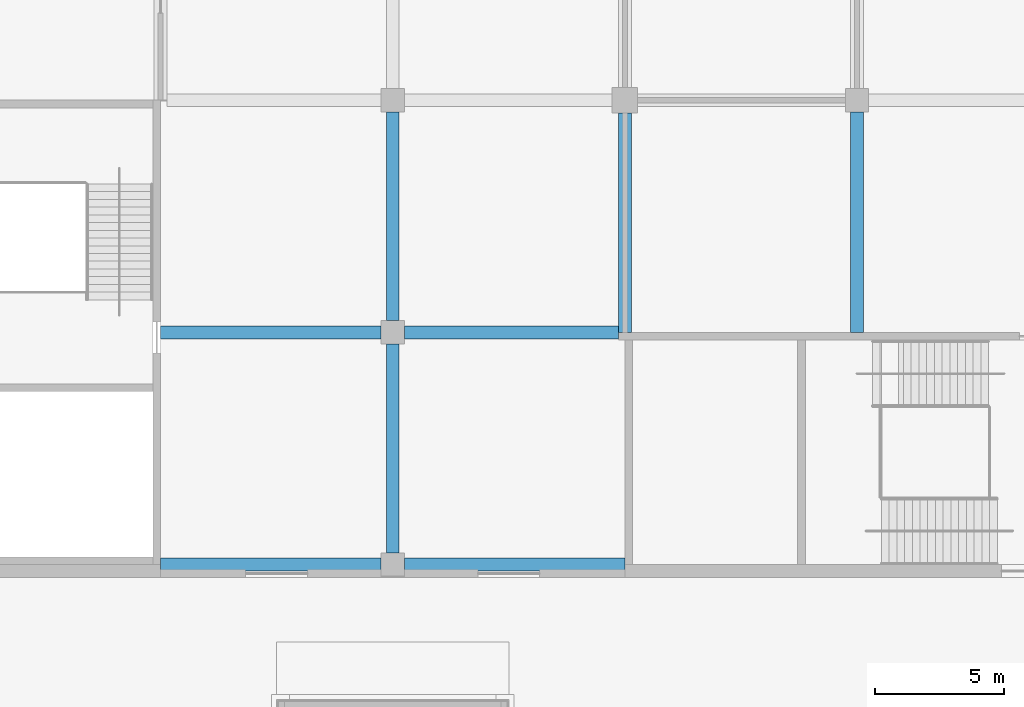
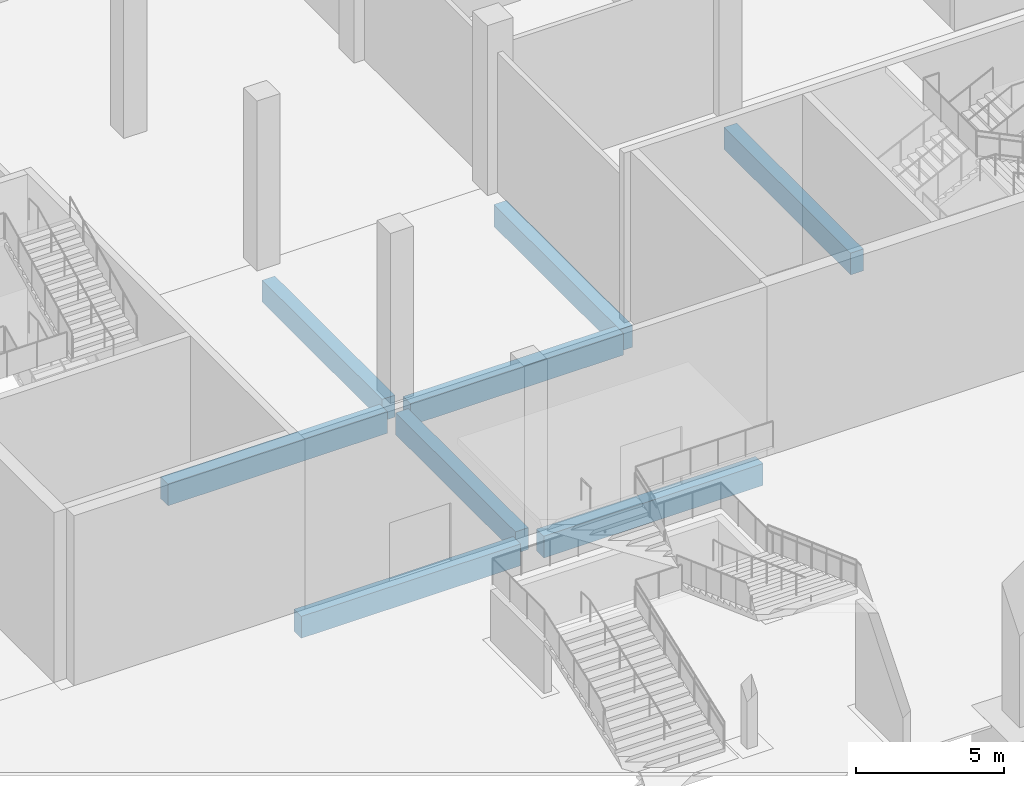
# One storey, part 9 of 92: 8 beams.
"""IFC4 building model written with IfcOpenShell, lengths in metres."""

import ifcopenshell
import ifcopenshell.guid

model = None  # the IFC model being written
_history = None  # IfcOwnerHistory: only IFC2X3 demands one
_inside = {}  # id of a spatial element -> (the spatial element, [elements in it])
_under = {}  # id of a project, library or spatial element -> (it, [spatial elements below it])
_declared = {}  # id of a project -> (the project, [libraries it declares])
_typed = {}  # id of a type object -> (the type object, [elements of that type])
_made_of = {}  # id of a material, layer set ... -> (it, [elements and type objects made of it])


def new_model(schema):
    """Start an empty IFC model of exactly this schema.

    Asked for "IFC4X3", IfcOpenShell would pick the latest addendum, in which some entities
    have other attributes; the version numbers below select the first issue.
    IFC2X3 requires an IfcOwnerHistory on every rooted entity: one is made here for all.
    """
    global model, _history
    if schema == "IFC4X3":
        model = ifcopenshell.file(schema_version=(4, 3, 0, 0))
    else:
        model = ifcopenshell.file(schema=schema)
    _inside.clear()
    _under.clear()
    _declared.clear()
    _typed.clear()
    _made_of.clear()
    _history = None
    if model.schema == "IFC2X3":
        org = make("IfcOrganization", Name="unknown")
        user = make(
            "IfcPersonAndOrganization",
            ThePerson=make("IfcPerson", FamilyName="unknown"),
            TheOrganization=org,
        )
        app = make(
            "IfcApplication",
            ApplicationDeveloper=org,
            Version="unknown",
            ApplicationFullName="unknown",
            ApplicationIdentifier="unknown",
        )
        _history = make(
            "IfcOwnerHistory",
            OwningUser=user,
            OwningApplication=app,
            ChangeAction="ADDED",
            CreationDate=0,
        )
    return model


def make(cls, **values):
    """One entity of the class cls with the attributes given. An attribute that is None is left unset."""
    return model.create_entity(
        cls, **{name: value for name, value in values.items() if value is not None}
    )


def rooted(cls, **values):
    """An entity with a GlobalId (a new one), such as an element, a storey or a relation."""
    return make(cls, GlobalId=ifcopenshell.guid.new(), OwnerHistory=_history, **values)


def si_unit(unit_type, name, prefix=None):
    """IfcSIUnit, for example si_unit("LENGTHUNIT", "METRE", prefix="MILLI")."""
    return make("IfcSIUnit", UnitType=unit_type, Prefix=prefix, Name=name)


def assignment(units):
    """IfcUnitAssignment: the units of a project."""
    return None if units is None else make("IfcUnitAssignment", Units=units)


def point(xyz):
    """IfcCartesianPoint."""
    return None if xyz is None else make("IfcCartesianPoint", Coordinates=xyz)


def direction(xyz):
    """IfcDirection."""
    return None if xyz is None else make("IfcDirection", DirectionRatios=xyz)


def frame(location, z_axis=None, x_axis=None):
    """IfcAxis2Placement3D, a coordinate frame: its origin and axes. An axis left out is left unset."""
    return make(
        "IfcAxis2Placement3D",
        Location=point(location),
        Axis=direction(z_axis),
        RefDirection=direction(x_axis),
    )


def frame_2d(location, x_axis=None):
    """IfcAxis2Placement2D, a coordinate frame in the plane: its origin and x axis."""
    return make(
        "IfcAxis2Placement2D", Location=point(location), RefDirection=direction(x_axis)
    )


def origin():
    """The frame at (0, 0, 0) with its axes left unset."""
    return frame((0.0, 0.0, 0.0))


def origin_2d():
    """The frame at (0, 0) in the plane with its x axis left unset."""
    return frame_2d((0.0, 0.0))


def place(relative_to, where):
    """IfcLocalPlacement: puts the frame where relative to a parent placement (None: the world)."""
    return make(
        "IfcLocalPlacement", PlacementRelTo=relative_to, RelativePlacement=where
    )


def context(
    kind, dimensions, precision=None, world=None, true_north=None, identifier=None
):
    """IfcGeometricRepresentationContext, for example the 3D "Model" context."""
    return make(
        "IfcGeometricRepresentationContext",
        ContextIdentifier=identifier,
        ContextType=kind,
        CoordinateSpaceDimension=dimensions,
        Precision=precision,
        WorldCoordinateSystem=world,
        TrueNorth=true_north,
    )


def subcontext(parent, identifier, kind, view, scale=None):
    """IfcGeometricRepresentationSubContext, for example "Body" below "Model"."""
    return make(
        "IfcGeometricRepresentationSubContext",
        ContextIdentifier=identifier,
        ContextType=kind,
        ParentContext=parent,
        TargetScale=scale,
        TargetView=view,
    )


def project(units=None, contexts=None):
    """IfcProject with its units and contexts."""
    return rooted(
        "IfcProject",
        Name="project",
        RepresentationContexts=contexts,
        UnitsInContext=assignment(units),
    )


def spatial(cls, under=None, at=None, **own):
    """A site, building, storey or space (cls), placed at a placement, below another one or the project."""
    s = rooted(cls, ObjectPlacement=at, **own)
    if under is not None:
        _under.setdefault(under.id(), (under, []))[1].append(s)
    return s


def profile(cls, at=None, kind="AREA", **sizes):
    """A parametric profile (cls). Its sizes go by their IFC names, for example OverallWidth=200.0."""
    return make(cls, ProfileType=kind, Position=at, **sizes)


def rectangle(**sizes):
    """IfcRectangleProfileDef."""
    return profile("IfcRectangleProfileDef", **sizes)


def extrude(swept, where, along, depth):
    """IfcExtrudedAreaSolid: the profile swept, set in the frame where, extruded along a direction by depth."""
    return make(
        "IfcExtrudedAreaSolid",
        SweptArea=swept,
        Position=where,
        ExtrudedDirection=direction(along),
        Depth=depth,
    )


def shape(context_of_items, identifier, shape_type, items):
    """IfcShapeRepresentation: the items that make up one representation, for example the "Body"."""
    return make(
        "IfcShapeRepresentation",
        ContextOfItems=context_of_items,
        RepresentationIdentifier=identifier,
        RepresentationType=shape_type,
        Items=items,
    )


def material(Name=None, Category=None):
    """IfcMaterial."""
    return make("IfcMaterial", Name=Name, Category=Category)


def material_profile(
    of_material, cross_section, Name=None, Category=None, Priority=None
):
    """IfcMaterialProfile: a cross section and its material."""
    return make(
        "IfcMaterialProfile",
        Name=Name,
        Material=of_material,
        Profile=cross_section,
        Priority=Priority,
        Category=Category,
    )


def profile_set(profiles, Name=None, composite=None):
    """IfcMaterialProfileSet."""
    return make(
        "IfcMaterialProfileSet",
        Name=Name,
        MaterialProfiles=profiles,
        CompositeProfile=composite,
    )


def made_of(thing, what):
    """Note that an element or type object is made of a material, layer set ...; save() writes the relation."""
    if what is not None:
        _made_of.setdefault(what.id(), (what, []))[1].append(thing)
    return thing


def type_object(cls, material=None, **own):
    """A type object (cls), such as IfcWallType, which elements share."""
    return made_of(rooted(cls, **own), material)


def element(
    cls,
    number,
    at=None,
    inside=None,
    cuts=None,
    type_object=None,
    material=None,
    context=None,
    identifier="Body",
    shape_type=None,
    held_by="IfcProductDefinitionShape",
    body=None,
    shapes=None,
    **own,
):
    """One element of the class cls, such as IfcWall. Its Tag is "e" and its number.

    at: its placement. inside: the storey or other place that contains it. cuts: it is an
    opening in that element (IfcRelVoidsElement). A single representation is given by context,
    identifier, shape_type and body (its items); several are given by shapes. held_by: the class
    of the entity that holds the representations. save() writes the other relations.
    """
    e = rooted(cls, Tag="e%d" % number, ObjectPlacement=at, **own)
    if body is not None:
        shapes = [shape(context, identifier, shape_type, body)]
    if shapes is not None:
        e.Representation = make(held_by, Representations=shapes)
    if inside is not None:
        _inside.setdefault(inside.id(), (inside, []))[1].append(e)
    if cuts is not None:
        rooted(
            "IfcRelVoidsElement", RelatingBuildingElement=cuts, RelatedOpeningElement=e
        )
    if type_object is not None:
        _typed.setdefault(type_object.id(), (type_object, []))[1].append(e)
    return made_of(e, material)


def aggregate(whole, parts):
    """IfcRelAggregates: a whole, such as a stair, and the parts it consists of."""
    return rooted("IfcRelAggregates", RelatingObject=whole, RelatedObjects=parts)


def save(model, path):
    """Write the relations noted so far, then the file.

    IfcRelAggregates (storeys below a building ...), IfcRelContainedInSpatialStructure (elements
    in a storey), IfcRelDefinesByType, IfcRelAssociatesMaterial and IfcRelDeclares: one each for
    every whole, place, type object, material and project.
    """
    for whole, parts in _under.values():
        aggregate(whole, parts)
    for where, things in _inside.values():
        rooted(
            "IfcRelContainedInSpatialStructure",
            RelatedElements=things,
            RelatingStructure=where,
        )
    for kind, things in _typed.values():
        rooted("IfcRelDefinesByType", RelatedObjects=things, RelatingType=kind)
    for what, things in _made_of.values():
        rooted("IfcRelAssociatesMaterial", RelatedObjects=things, RelatingMaterial=what)
    for by, libraries in _declared.values():
        rooted("IfcRelDeclares", RelatingContext=by, RelatedDefinitions=libraries)
    model.write(path)


model = new_model("IFC4")

# Units and contexts
model_context = context("Model", 3, precision=1e-05, world=origin(), true_north=direction((0.0, 1.0)))
body_context = subcontext(model_context, "Body", "Model", "MODEL_VIEW")
ifc_project = project(units=[si_unit("LENGTHUNIT", "METRE"), si_unit("AREAUNIT", "SQUARE_METRE"), si_unit("VOLUMEUNIT", "CUBIC_METRE"), si_unit("PLANEANGLEUNIT", "RADIAN"), si_unit("MASSUNIT", "GRAM", prefix="KILO")], contexts=[model_context])

# Site, building, storey
site_placement = place(None, origin())
site = spatial("IfcSite", under=ifc_project, at=site_placement, CompositionType="ELEMENT")
building_placement = place(site_placement, origin())
building = spatial("IfcBuilding", under=site, at=building_placement, Name="Silverbay Arena", CompositionType="ELEMENT")
storey_placement = place(building_placement, origin())
storey = spatial("IfcBuildingStorey", under=building, at=storey_placement, Name="L00", CompositionType="ELEMENT", Elevation=0.0)

# Beams
ifc_material = material(Name="Concrete Grade C45", Category="concrete")
ifc_material_profile = material_profile(ifc_material, rectangle(XDim=0.5, YDim=0.89990234375, at=origin_2d()), Name="RC 500x900")
ifc_profile_set = profile_set([ifc_material_profile], Name="Concrete Grade C45")
beam_type = type_object("IfcBeamType", Name="RC beam 500x900", PredefinedType="BEAM", material=ifc_profile_set)
for number, where, z_axis, x_axis, name in (
    (1, (36.0, 18.0, -0.89990234375), (1.0, 0.0, 0.0), (0.0, 1.0, 0.0), "Floor beam L00 001"),
    (2, (45.449951171875, 18.0, -0.89990234375), (1.0, 0.0, 0.0), (0.0, 1.0, 0.0), "Floor beam L00 002"),
    (3, (36.0, 27.0, -0.89990234375), (1.0, 0.0, 0.0), (0.0, 1.0, 0.0), "Floor beam L00 010"),
):
    element("IfcBeam", number, at=place(storey_placement, frame(where, z_axis=z_axis, x_axis=x_axis)), inside=storey, type_object=beam_type, Name=name, PredefinedType="BEAM", context=body_context, shape_type="SweptSolid", body=[
        extrude(rectangle(XDim=0.5, YDim=0.89990234375, at=origin_2d()), origin(), (0.0, 0.0, 1.0), 8.550048828125),
    ])
beam_1_placement = place(storey_placement, frame((45.449951171875, 27.0, -0.89990234375), z_axis=(1.0, 0.0, 0.0), x_axis=(0.0, 1.0, 0.0)))
element("IfcBeam", 4, at=beam_1_placement, inside=storey, type_object=beam_type, Name="Floor beam L00 011", PredefinedType="BEAM", context=body_context, shape_type="SweptSolid", body=[
    extrude(rectangle(XDim=0.5, YDim=0.89990234375, at=origin_2d()), origin(), (0.0, 0.0, 1.0), 8.300048828125),
])
for number, where, z_axis, x_axis, name in (
    (5, (45.0, 18.449951171875, -0.89990234375), (0.0, 1.0, 0.0), (-1.0, 0.0, 0.0), "Floor beam L00 256"),
    (6, (45.0, 27.449951171875, -0.89990234375), (0.0, 1.0, 0.0), (-1.0, 0.0, 0.0), "Floor beam L00 257"),
):
    element("IfcBeam", number, at=place(storey_placement, frame(where, z_axis=z_axis, x_axis=x_axis)), inside=storey, type_object=beam_type, Name=name, PredefinedType="BEAM", context=body_context, shape_type="SweptSolid", body=[
        extrude(rectangle(XDim=0.5, YDim=0.89990234375, at=origin_2d()), origin(), (0.0, 0.0, 1.0), 8.10009765625),
    ])
beam_2_placement = place(storey_placement, frame((54.0, 27.0, -0.89990234375), z_axis=(0.0, 1.0, 0.0), x_axis=(-1.0, 0.0, 0.0)))
element("IfcBeam", 7, at=beam_2_placement, inside=storey, type_object=beam_type, Name="Floor beam L00 270", PredefinedType="BEAM", context=body_context, shape_type="SweptSolid", body=[
    extrude(rectangle(XDim=0.5, YDim=0.89990234375, at=origin_2d()), origin(), (0.0, 0.0, 1.0), 8.5),
])
beam_3_placement = place(storey_placement, frame((63.0, 27.0, -0.89990234375), z_axis=(0.0, 1.0, 0.0), x_axis=(-1.0, 0.0, 0.0)))
element("IfcBeam", 8, at=beam_3_placement, inside=storey, type_object=beam_type, Name="Floor beam L00 278", PredefinedType="BEAM", context=body_context, shape_type="SweptSolid", body=[
    extrude(rectangle(XDim=0.5, YDim=0.89990234375, at=origin_2d()), origin(), (0.0, 0.0, 1.0), 8.550048828125),
])

save(model, "model.ifc")
